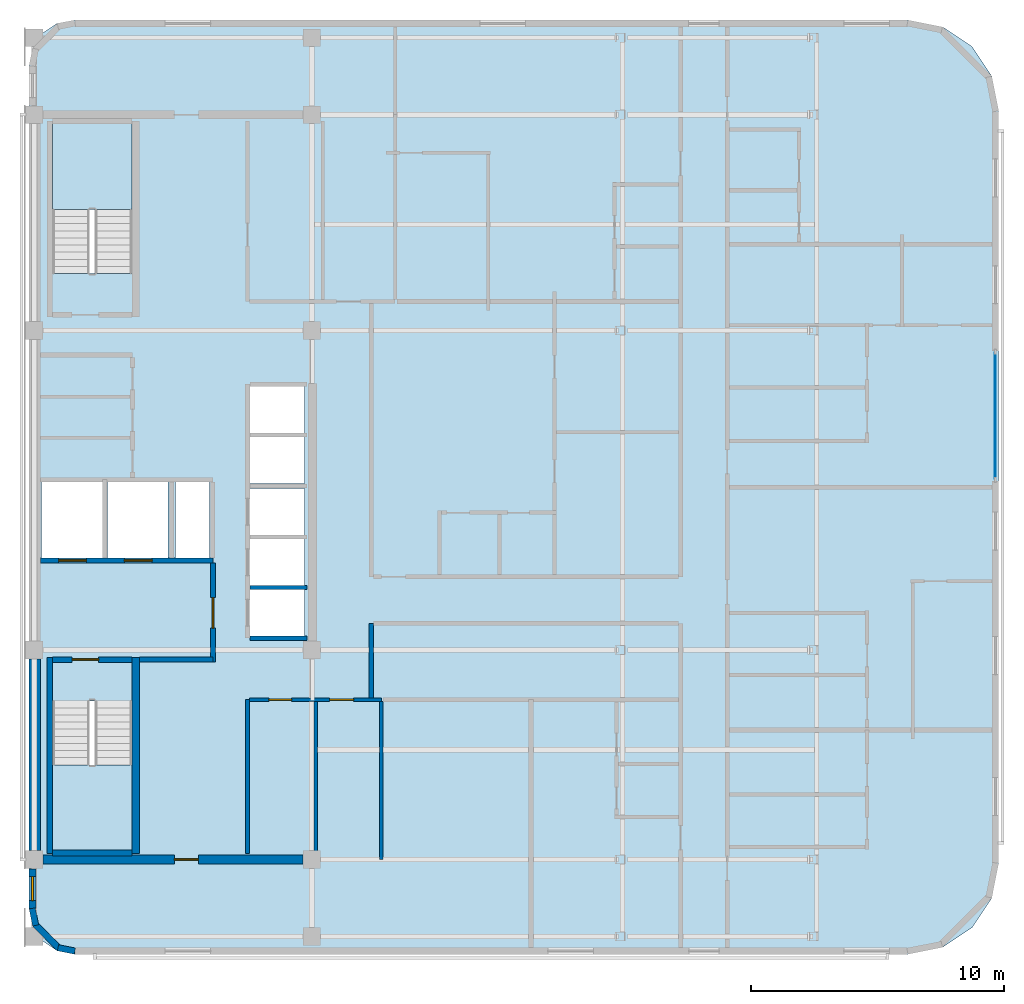
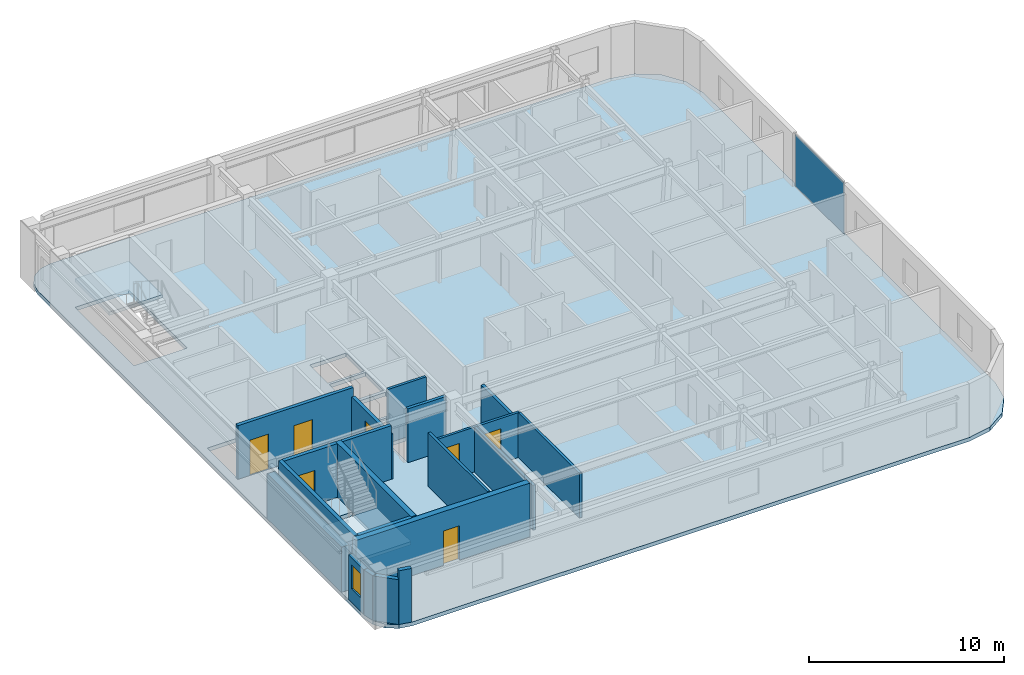
# One storey, part 3 of 10: 20 walls, 7 doors, 3 slabs, 1 plate, 1 window, 8 openings, 3 elements without a shape of their own.
"""IFC4 building model written with IfcOpenShell, lengths in metres."""

from ifc_helpers import new_model, si_unit, direction, frame, frame_2d, origin, origin_2d, place, context, subcontext, project, spatial, polyline, rectangle, outline, extrude, material, layer, layer_set, type_object, element, fill, aggregate, save


model = new_model("IFC4")

# Units and contexts
model_context = context("Model", 3, precision=1e-05, world=origin(), true_north=direction((0.0, 1.0)))
body_context = subcontext(model_context, "Body", "Model", "MODEL_VIEW")
ifc_project = project(units=[si_unit("LENGTHUNIT", "METRE"), si_unit("AREAUNIT", "SQUARE_METRE"), si_unit("VOLUMEUNIT", "CUBIC_METRE"), si_unit("PLANEANGLEUNIT", "RADIAN"), si_unit("MASSUNIT", "GRAM", prefix="KILO")], contexts=[model_context])

# Site, building, storey
site_placement = place(None, origin())
site = spatial("IfcSite", under=ifc_project, at=site_placement, CompositionType="ELEMENT")
building_placement = place(site_placement, origin())
building = spatial("IfcBuilding", under=site, at=building_placement, Name="Ochreholt Gables", CompositionType="ELEMENT")
storey_placement = place(building_placement, frame((0.0, 0.0, 213.0)))
storey = spatial("IfcBuildingStorey", under=building, at=storey_placement, Name="L55", CompositionType="ELEMENT", Elevation=213.0)

# Curtain wall, plate
ifc_material_1 = material(Name="Unitised Aluminium and Triple Glazing", Category="aluminium")
ifc_layer_1 = layer(ifc_material_1, 0.2099609375, Name="Unitised Aluminium and Triple Glazing")
ifc_layer_set_1 = layer_set([ifc_layer_1], Name="Unitised Aluminium and Triple Glazing")
curtain_wall_type = type_object("IfcCurtainWallType", Name="CW-SYS5", PredefinedType="NOTDEFINED", material=ifc_layer_set_1)
curtain_wall_placement = place(storey_placement, origin())
curtain_wall = element("IfcCurtainWall", 1, at=curtain_wall_placement, inside=storey, type_object=curtain_wall_type, Name="L55 East Unitised Curtain Wall", PredefinedType="NOTDEFINED")
ifc_material_2 = material(Name="Triple Low-E Insulating Glass", Category="glass")
ifc_layer_2 = layer(ifc_material_2, 0.0380859375, Name="Triple Low-E Insulating Glass")
ifc_layer_set_2 = layer_set([ifc_layer_2], Name="Triple Low-E Insulating Glass")
plate_type = type_object("IfcPlateType", Name="CW-PNL-38", PredefinedType="CURTAIN_PANEL", material=ifc_layer_set_2)
plate_placement = place(storey_placement, frame((62.264892578125, 26.824951171875, 0.074951171875), z_axis=(0.0, 0.0, 1.0), x_axis=(0.0, 1.0, 0.0)))
plate = element("IfcPlate", 2, at=plate_placement, type_object=plate_type, Name="CW-5 panel 1.1", PredefinedType="CURTAIN_PANEL", context=body_context, shape_type="SweptSolid", body=[
    extrude(rectangle(XDim=5.0, YDim=0.0380859375, at=origin_2d()), origin(), (0.0, 0.0, 1.0), 3.2099609375),
])
aggregate(curtain_wall, [plate])

# Stair, slab
ifc_material_3 = material(Name="Concrete 40 MPa", Category="concrete")
stair_type_1 = type_object("IfcStairType", Name="STAIR-CORE-ST-1", PredefinedType="HALF_TURN_STAIR", material=ifc_material_3)
stair_1_placement = place(storey_placement, origin())
stair_1 = element("IfcStair", 3, at=stair_1_placement, inside=storey, type_object=stair_type_1, Name="L55 Core Exit Stair 1", PredefinedType="HALF_TURN_STAIR")
ifc_layer_3 = layer(ifc_material_3, 0.199951171875, Name="Concrete 40 MPa")
ifc_layer_set_3 = layer_set([ifc_layer_3], Name="Concrete 40 MPa")
slab_type_1 = type_object("IfcSlabType", Name="LANDING-RC200", PredefinedType="LANDING", material=ifc_layer_set_3)
slab_1_placement = place(storey_placement, frame((0.0, 0.0, 1.60009765625)))
slab_1 = element("IfcSlab", 4, at=slab_1_placement, type_object=slab_type_1, Name="ST-1 landing 1", PredefinedType="LANDING", context=body_context, shape_type="SweptSolid", body=[
    extrude(outline(polyline([(24.919921875, 13.001953125), (24.919921875, 9.52001953125), (28.080078125, 9.52001953125), (28.080078125, 13.001953125), (24.919921875, 13.001953125)])), origin(), (0.0, 0.0, 1.0), 0.199951171875),
])
aggregate(stair_1, [slab_1])

stair_type_2 = type_object("IfcStairType", Name="STAIR-CORE-ST-2", PredefinedType="HALF_TURN_STAIR", material=ifc_material_3)
stair_2_placement = place(storey_placement, origin())
stair_2 = element("IfcStair", 5, at=stair_2_placement, inside=storey, type_object=stair_type_2, Name="L55 Core Exit Stair 2", PredefinedType="HALF_TURN_STAIR")
slab_2_placement = place(storey_placement, frame((0.0, 0.0, 1.60009765625)))
slab_2 = element("IfcSlab", 6, at=slab_2_placement, type_object=slab_type_1, Name="ST-2 landing 1", PredefinedType="LANDING", context=body_context, shape_type="SweptSolid", body=[
    extrude(outline(polyline([(28.080078125, 34.998046875), (28.080078125, 38.47998046875), (24.919921875, 38.47998046875), (24.919921875, 34.998046875), (28.080078125, 34.998046875)])), origin(), (0.0, 0.0, 1.0), 0.199951171875),
])
aggregate(stair_2, [slab_2])

# Slab
ifc_layer_4 = layer(ifc_material_3, 0.239990234375, Name="Concrete 40 MPa")
ifc_layer_set_4 = layer_set([ifc_layer_4], Name="Concrete 40 MPa")
slab_type_2 = type_object("IfcSlabType", Name="SLAB-TWR-240", PredefinedType="FLOOR", material=ifc_layer_set_4)
slab_3_placement = place(storey_placement, frame((0.0, 0.0, -0.239990234375)))
element("IfcSlab", 7, at=slab_3_placement, inside=storey, type_object=slab_type_2, Name="L55 Structural Floor Slab", PredefinedType="FLOOR", context=body_context, shape_type="SweptSolid", body=[
    extrude(outline(polyline([(24.0, 7.300048828125), (24.136962890625, 6.611083984375), (24.527099609375, 6.027099609375), (25.111083984375, 5.636962890625), (25.800048828125, 5.5), (58.800048828125, 5.5), (60.177734375, 5.77392578125), (61.345703125, 6.554443359375), (62.1259765625, 7.722412109375), (62.39990234375, 9.10009765625), (62.39990234375, 38.89990234375), (62.1259765625, 40.277587890625), (61.345703125, 41.445556640625), (60.177734375, 42.22607421875), (58.800048828125, 42.5), (25.800048828125, 42.5), (25.111083984375, 42.363037109375), (24.527099609375, 41.972900390625), (24.136962890625, 41.388916015625), (24.0, 40.699951171875), (24.0, 7.300048828125)]), holes=[polyline([(24.919921875, 15.539306640625), (24.919921875, 9.52001953125), (28.080078125, 9.52001953125), (28.080078125, 15.539306640625), (24.919921875, 15.539306640625)]), polyline([(28.080078125, 32.460693359375), (28.080078125, 38.47998046875), (24.919921875, 38.47998046875), (24.919921875, 32.460693359375), (28.080078125, 32.460693359375)]), polyline([(24.5, 21.199951171875), (26.89990234375, 21.199951171875), (26.89990234375, 24.199951171875), (24.5, 24.199951171875), (24.5, 21.199951171875)]), polyline([(27.10009765625, 21.199951171875), (29.5, 21.199951171875), (29.5, 24.199951171875), (27.10009765625, 24.199951171875), (27.10009765625, 21.199951171875)]), polyline([(32.75, 18.10009765625), (34.89990234375, 18.10009765625), (34.89990234375, 19.949951171875), (32.75, 19.949951171875), (32.75, 18.10009765625)]), polyline([(32.75, 20.10009765625), (34.89990234375, 20.10009765625), (34.89990234375, 21.949951171875), (32.75, 21.949951171875), (32.75, 20.10009765625)]), polyline([(32.75, 22.10009765625), (34.89990234375, 22.10009765625), (34.89990234375, 23.949951171875), (32.75, 23.949951171875), (32.75, 22.10009765625)]), polyline([(32.75, 24.14990234375), (34.89990234375, 24.14990234375), (34.89990234375, 26.0), (32.75, 26.0), (32.75, 24.14990234375)]), polyline([(32.75, 26.14990234375), (34.89990234375, 26.14990234375), (34.89990234375, 28.0), (32.75, 28.0), (32.75, 26.14990234375)]), polyline([(29.800048828125, 21.199951171875), (31.14990234375, 21.199951171875), (31.14990234375, 24.199951171875), (29.800048828125, 24.199951171875), (29.800048828125, 21.199951171875)])]), origin(), (0.0, 0.0, 1.0), 0.239990234375),
])

# Wall, opening, door
ifc_material_4 = material(Name="Concrete 50 MPa", Category="concrete")
ifc_layer_5 = layer(ifc_material_4, 0.35009765625, Name="Concrete 50 MPa")
ifc_layer_set_5 = layer_set([ifc_layer_5], Name="Concrete 50 MPa")
wall_type_1 = type_object("IfcWallType", Name="WALL-CSW-350", PredefinedType="SHEAR", material=ifc_layer_set_5)
wall_1_placement = place(storey_placement, frame((24.550048828125, 9.25, 0.0), z_axis=(0.0, 0.0, 1.0), x_axis=(1.0, 0.0, 0.0)))
wall_1 = element("IfcWall", 8, at=wall_1_placement, inside=storey, type_object=wall_type_1, Name="L55 Core South Shear Wall", PredefinedType="SHEAR", context=body_context, shape_type="SweptSolid", body=[
    extrude(rectangle(XDim=10.300048828125, YDim=0.35009765625, at=frame_2d((5.14990234375, 0.0))), origin(), (0.0, 0.0, 1.0), 3.360107421875),
])
opening_1_placement = place(wall_1_placement, frame((5.199951171875, 0.0, 0.0)))
opening_1 = element("IfcOpeningElement", 9, at=opening_1_placement, cuts=wall_1, Name="Opening D-FL2", PredefinedType="OPENING", context=body_context, shape_type="SweptSolid", body=[
    extrude(rectangle(XDim=0.949951171875, YDim=2.14990234375, at=frame_2d((0.47509765625, 1.074951171875))), frame((0.0, 0.18505859375, 0.0), z_axis=(0.0, -1.0, 0.0), x_axis=(1.0, 0.0, 0.0)), (0.0, 0.0, 1.0), 0.3701171875),
])
ifc_material_5 = material(Name="Hollow Metal Steel", Category="steel")
door_type_1 = type_object("IfcDoorType", Name="DR-INT-FLB950", OperationType="NOTDEFINED", PredefinedType="DOOR", material=ifc_material_5)
door_1_placement = place(opening_1_placement, frame((0.949951171875, 0.0, 0.0), z_axis=(0.0, 0.0, 1.0), x_axis=(-1.0, 0.0, 0.0)))
door_1 = element("IfcDoor", 10, at=door_1_placement, inside=storey, type_object=door_type_1, Name="L55 Door D-C3SSL-L55", OperationType="SINGLE_SWING_LEFT", OverallHeight=2.14990234375, OverallWidth=0.949951171875, PredefinedType="DOOR", context=body_context, shape_type="SweptSolid", body=[
    extrude(rectangle(XDim=0.949951171875, YDim=2.14990234375, at=frame_2d((0.47509765625, 1.074951171875))), frame((0.0, 0.02490234375, 0.0), z_axis=(0.0, -1.0, 0.0), x_axis=(1.0, 0.0, 0.0)), (0.0, 0.0, 1.0), 0.050048828125),
])
fill(opening_1, door_1)

# Wall
ifc_layer_6 = layer(ifc_material_4, 0.449951171875, Name="Concrete 50 MPa")
ifc_layer_set_6 = layer_set([ifc_layer_6], Name="Concrete 50 MPa")
wall_type_2 = type_object("IfcWallType", Name="WALL-CSW-EXT", PredefinedType="SHEAR", material=ifc_layer_set_6)
wall_2_placement = place(storey_placement, frame((24.22509765625, 9.60009765625, 0.0), z_axis=(0.0, 0.0, 1.0), x_axis=(0.0, 1.0, 0.0)))
element("IfcWall", 11, at=wall_2_placement, inside=storey, type_object=wall_type_2, Name="L55 Core West Shear Wall WS", PredefinedType="SHEAR", context=body_context, shape_type="SweptSolid", body=[
    extrude(rectangle(XDim=7.599853515625, YDim=0.449951171875, at=frame_2d((3.7998046875, 0.0))), origin(), (0.0, 0.0, 1.0), 2.821044921875),
])

# Wall, opening, window
ifc_material_6 = material(Name="Precast concrete 40 MPa", Category="concrete")
ifc_layer_7 = layer(ifc_material_6, 0.27001953125, Name="Precast concrete 40 MPa")
ifc_layer_set_7 = layer_set([ifc_layer_7], Name="Precast concrete 40 MPa")
wall_type_3 = type_object("IfcWallType", Name="WALL-EXT-270", PredefinedType="SOLIDWALL", material=ifc_layer_set_7)
wall_3_placement = place(storey_placement, frame((24.135009765625, 7.320068359375, 0.0), z_axis=(0.0, 0.0, 1.0), x_axis=(0.0, 1.0, 0.0)))
wall_3 = element("IfcWall", 12, at=wall_3_placement, inside=storey, type_object=wall_type_3, Name="L55 West Facade South Bay Wall", PredefinedType="SOLIDWALL", context=body_context, shape_type="SweptSolid", body=[
    extrude(rectangle(XDim=1.559814453125, YDim=0.27001953125, at=frame_2d((0.77978515625, 0.0))), origin(), (0.0, 0.0, 1.0), 2.802978515625),
])
opening_2_placement = place(wall_3_placement, frame((0.304931640625, 0.0, 0.85009765625)))
opening_2 = element("IfcOpeningElement", 13, at=opening_2_placement, cuts=wall_3, Name="Opening WN-10", PredefinedType="OPENING", context=body_context, shape_type="SweptSolid", body=[
    extrude(rectangle(XDim=0.949951171875, YDim=1.5, at=frame_2d((0.47509765625, 0.75))), frame((0.0, 0.14501953125, 0.0), z_axis=(0.0, -1.0, 0.0), x_axis=(1.0, 0.0, 0.0)), (0.0, 0.0, 1.0), 0.2900390625),
])
ifc_material_7 = material(Name="Triple-Glazed Thermally Broken Aluminium Window", Category="aluminium")
window_type = type_object("IfcWindowType", Name="WIN-RES-950", PartitioningType="SINGLE_PANEL", PredefinedType="WINDOW", material=ifc_material_7)
window_placement = place(opening_2_placement, origin())
window = element("IfcWindow", 14, at=window_placement, inside=storey, type_object=window_type, Name="L55 South Sky Lounge West Window", OverallHeight=1.5, OverallWidth=0.949951171875, PartitioningType="SINGLE_PANEL", PredefinedType="WINDOW", context=body_context, shape_type="SweptSolid", body=[
    extrude(rectangle(XDim=0.949951171875, YDim=1.5, at=frame_2d((0.47509765625, 0.75))), frame((0.0, 0.030029296875, 0.0), z_axis=(0.0, -1.0, 0.0), x_axis=(1.0, 0.0, 0.0)), (0.0, 0.0, 1.0), 0.06005859375),
])
fill(opening_2, window)

# Walls
ifc_layer_8 = layer(ifc_material_6, 0.25, Name="Precast concrete 40 MPa")
ifc_layer_set_8 = layer_set([ifc_layer_8], Name="Precast concrete 40 MPa")
wall_type_4 = type_object("IfcWallType", Name="WALL-EXT-CNR", PredefinedType="SOLIDWALL", material=ifc_layer_set_8)
wall_4_placement = place(storey_placement, frame((24.124267578125, 7.31640625, 0.0), z_axis=(0.0, 0.0, 1.0), x_axis=(0.194952956674, -0.980812594069, 0.0)))
element("IfcWall", 15, at=wall_4_placement, inside=storey, type_object=wall_type_4, Name="L55 Rounded Corner Wall SW-1", PredefinedType="SOLIDWALL", context=body_context, shape_type="SweptSolid", body=[
    extrude(rectangle(XDim=0.686279296875, YDim=0.25, at=frame_2d((0.34326171875, 0.0))), origin(), (0.0, 0.0, 1.0), 2.802978515625),
])
wall_5_placement = place(storey_placement, frame((24.23095703125, 6.69384765625, 0.0), z_axis=(0.0, 0.0, 1.0), x_axis=(0.707106781187, -0.707106781187, 0.0)))
element("IfcWall", 16, at=wall_5_placement, inside=storey, type_object=wall_type_4, Name="L55 Rounded Corner Wall SW-2", PredefinedType="SOLIDWALL", context=body_context, shape_type="SweptSolid", body=[
    extrude(rectangle(XDim=1.36181640625, YDim=0.25, at=frame_2d((0.680908203125, 0.0))), origin(), (0.0, 0.0, 1.0), 2.802978515625),
])
wall_6_placement = place(storey_placement, frame((25.143310546875, 5.758056640625, 0.0), z_axis=(0.0, 0.0, 1.0), x_axis=(0.980812594069, -0.194952956674, 0.0)))
element("IfcWall", 17, at=wall_6_placement, inside=storey, type_object=wall_type_4, Name="L55 Rounded Corner Wall SW-3", PredefinedType="SOLIDWALL", context=body_context, shape_type="SweptSolid", body=[
    extrude(rectangle(XDim=0.686279296875, YDim=0.25, at=frame_2d((0.34326171875, 0.0))), origin(), (0.0, 0.0, 1.0), 3.360107421875),
])

# Wall, openings, doors
ifc_layer_9 = layer(ifc_material_3, 0.199951171875, Name="Concrete 40 MPa")
ifc_layer_set_9 = layer_set([ifc_layer_9], Name="Concrete 40 MPa")
wall_type_5 = type_object("IfcWallType", Name="WALL-INT-CF200", PredefinedType="STANDARD", material=ifc_layer_set_9)
wall_7_placement = place(storey_placement, frame((24.449951171875, 21.090087890625, 0.0), z_axis=(0.0, 0.0, 1.0), x_axis=(1.0, 0.0, 0.0)))
wall_7 = element("IfcWall", 18, at=wall_7_placement, inside=storey, type_object=wall_type_5, Name="L55 Interior Wall WI-FFN-L55", PredefinedType="STANDARD", context=body_context, shape_type="SweptSolid", body=[
    extrude(rectangle(XDim=6.830078125, YDim=0.199951171875, at=frame_2d((3.4150390625, 0.0))), origin(), (0.0, 0.0, 1.0), 3.360107421875),
])
opening_3_placement = place(wall_7_placement, frame((0.719970703125, 0.0, 0.0)))
opening_3 = element("IfcOpeningElement", 19, at=opening_3_placement, cuts=wall_7, Name="Opening LD-FF", PredefinedType="OPENING", context=body_context, shape_type="SweptSolid", body=[
    extrude(rectangle(XDim=1.10009765625, YDim=2.199951171875, at=frame_2d((0.550048828125, 1.10009765625))), frame((0.0, 0.10986328125, 0.0), z_axis=(0.0, -1.0, 0.0), x_axis=(1.0, 0.0, 0.0)), (0.0, 0.0, 1.0), 0.219970703125),
])
opening_4_placement = place(wall_7_placement, frame((3.320068359375, 0.0, 0.0)))
opening_4 = element("IfcOpeningElement", 20, at=opening_4_placement, cuts=wall_7, Name="Opening LD-FF", PredefinedType="OPENING", context=body_context, shape_type="SweptSolid", body=[
    extrude(rectangle(XDim=1.10009765625, YDim=2.199951171875, at=frame_2d((0.550048828125, 1.10009765625))), frame((0.0, 0.10986328125, 0.0), z_axis=(0.0, -1.0, 0.0), x_axis=(1.0, 0.0, 0.0)), (0.0, 0.0, 1.0), 0.219970703125),
])
ifc_material_8 = material(Name="Stainless Steel", Category="steel")
door_type_2 = type_object("IfcDoorType", Name="DR-LFT-FF1100", OperationType="NOTDEFINED", PredefinedType="DOOR", material=ifc_material_8)
door_2_placement = place(opening_3_placement, origin())
door_2 = element("IfcDoor", 21, at=door_2_placement, inside=storey, type_object=door_type_2, Name="L55 Door LD-FF1-L55", OperationType="SLIDING_TO_LEFT", OverallHeight=2.199951171875, OverallWidth=1.10009765625, PredefinedType="DOOR", context=body_context, shape_type="SweptSolid", body=[
    extrude(rectangle(XDim=1.10009765625, YDim=2.199951171875, at=frame_2d((0.550048828125, 1.10009765625))), frame((0.0, 0.02490234375, 0.0), z_axis=(0.0, -1.0, 0.0), x_axis=(1.0, 0.0, 0.0)), (0.0, 0.0, 1.0), 0.050048828125),
])
fill(opening_3, door_2)
door_3_placement = place(opening_4_placement, origin())
door_3 = element("IfcDoor", 22, at=door_3_placement, inside=storey, type_object=door_type_2, Name="L55 Door LD-FF2-L55", OperationType="SLIDING_TO_LEFT", OverallHeight=2.199951171875, OverallWidth=1.10009765625, PredefinedType="DOOR", context=body_context, shape_type="SweptSolid", body=[
    extrude(rectangle(XDim=1.10009765625, YDim=2.199951171875, at=frame_2d((0.550048828125, 1.10009765625))), frame((0.0, 0.02490234375, 0.0), z_axis=(0.0, -1.0, 0.0), x_axis=(1.0, 0.0, 0.0)), (0.0, 0.0, 1.0), 0.050048828125),
])
fill(opening_4, door_3)

# Wall
wall_8_placement = place(storey_placement, frame((28.3798828125, 17.169921875, 0.0), z_axis=(0.0, 0.0, 1.0), x_axis=(1.0, 0.0, 0.0)))
element("IfcWall", 23, at=wall_8_placement, inside=storey, type_object=wall_type_5, Name="L55 Interior Wall WI-FFS-L55", PredefinedType="STANDARD", context=body_context, shape_type="SweptSolid", body=[
    extrude(rectangle(XDim=2.900146484375, YDim=0.199951171875, at=frame_2d((1.4501953125, 0.0))), origin(), (0.0, 0.0, 1.0), 3.360107421875),
])

# Wall, opening, door
wall_9_placement = place(storey_placement, frame((31.280029296875, 17.070068359375, 0.0), z_axis=(0.0, 0.0, 1.0), x_axis=(0.0, 1.0, 0.0)))
wall_9 = element("IfcWall", 24, at=wall_9_placement, inside=storey, type_object=wall_type_5, Name="L55 Interior Wall WI-FFE-L55", PredefinedType="STANDARD", context=body_context, shape_type="SweptSolid", body=[
    extrude(rectangle(XDim=3.919921875, YDim=0.199951171875, at=frame_2d((1.9599609375, 0.0))), origin(), (0.0, 0.0, 1.0), 2.802978515625),
])
opening_5_placement = place(wall_9_placement, frame((1.35009765625, 0.0, 0.0)))
opening_5 = element("IfcOpeningElement", 25, at=opening_5_placement, cuts=wall_9, Name="Opening D-FFL", PredefinedType="OPENING", context=body_context, shape_type="SweptSolid", body=[
    extrude(rectangle(XDim=1.199951171875, YDim=2.14990234375, at=frame_2d((0.60009765625, 1.074951171875))), frame((0.0, 0.10986328125, 0.0), z_axis=(0.0, -1.0, 0.0), x_axis=(1.0, 0.0, 0.0)), (0.0, 0.0, 1.0), 0.219970703125),
])
door_type_3 = type_object("IfcDoorType", Name="DR-INT-FFL1200", OperationType="NOTDEFINED", PredefinedType="DOOR", material=ifc_material_5)
door_4_placement = place(opening_5_placement, origin())
door_4 = element("IfcDoor", 26, at=door_4_placement, inside=storey, type_object=door_type_3, Name="L55 Door D-FFL-L55", OperationType="SINGLE_SWING_LEFT", OverallHeight=2.14990234375, OverallWidth=1.199951171875, PredefinedType="DOOR", context=body_context, shape_type="SweptSolid", body=[
    extrude(rectangle(XDim=1.199951171875, YDim=2.14990234375, at=frame_2d((0.60009765625, 1.074951171875))), frame((0.0, 0.02490234375, 0.0), z_axis=(0.0, -1.0, 0.0), x_axis=(1.0, 0.0, 0.0)), (0.0, 0.0, 1.0), 0.050048828125),
])
fill(opening_5, door_4)

# Walls
ifc_material_9 = material(Name="Fire-Rated Gypsum Acoustic Partition", Category="gypsum")
ifc_layer_10 = layer(ifc_material_9, 0.179931640625, Name="Fire-Rated Gypsum Acoustic Partition")
ifc_layer_set_10 = layer_set([ifc_layer_10], Name="Fire-Rated Gypsum Acoustic Partition")
wall_type_6 = type_object("IfcWallType", Name="WALL-INT-CR180", PredefinedType="STANDARD", material=ifc_layer_set_10)
wall_10_placement = place(storey_placement, frame((37.550048828125, 15.652587890625, 0.0), z_axis=(0.0, 0.0, 1.0), x_axis=(0.0, 1.0, 0.0)))
element("IfcWall", 27, at=wall_10_placement, inside=storey, type_object=wall_type_6, Name="L55 Interior Wall WI-C3CE0-L55", PredefinedType="STANDARD", context=body_context, shape_type="SweptSolid", body=[
    extrude(rectangle(XDim=2.947509765625, YDim=0.179931640625, at=frame_2d((1.4736328125, 0.0))), origin(), (0.0, 0.0, 1.0), 2.802978515625),
])
ifc_material_10 = material(Name="Lightweight Stud Partition", Category="gypsum")
ifc_layer_11 = layer(ifc_material_10, 0.14501953125, Name="Lightweight Stud Partition")
ifc_layer_set_11 = layer_set([ifc_layer_11], Name="Lightweight Stud Partition")
wall_type_7 = type_object("IfcWallType", Name="WALL-INT-PT145", PredefinedType="PARTITIONING", material=ifc_layer_set_11)
wall_11_placement = place(storey_placement, frame((32.64990234375, 9.5, 0.0), z_axis=(0.0, 0.0, 1.0), x_axis=(0.0, 1.0, 0.0)))
element("IfcWall", 28, at=wall_11_placement, inside=storey, type_object=wall_type_7, Name="L55 Interior Wall WI-RCL-W-L55", PredefinedType="PARTITIONING", context=body_context, shape_type="SweptSolid", body=[
    extrude(rectangle(XDim=6.080078125, YDim=0.14501953125, at=frame_2d((3.0400390625, 0.0))), origin(), (0.0, 0.0, 1.0), 3.360107421875),
])

# Wall, openings, doors
wall_12_placement = place(storey_placement, frame((32.722412109375, 15.580078125, 0.0), z_axis=(0.0, 0.0, 1.0), x_axis=(1.0, 0.0, 0.0)))
wall_12 = element("IfcWall", 29, at=wall_12_placement, inside=storey, type_object=wall_type_7, Name="L55 Interior Wall WI-RCL-N-L55", PredefinedType="PARTITIONING", context=body_context, shape_type="SweptSolid", body=[
    extrude(rectangle(XDim=5.2275390625, YDim=0.14501953125, at=frame_2d((2.61376953125, 0.0))), origin(), (0.0, 0.0, 1.0), 2.802978515625),
])
opening_6_placement = place(wall_12_placement, frame((0.777587890625, 0.0, 0.0)))
opening_6 = element("IfcOpeningElement", 30, at=opening_6_placement, cuts=wall_12, Name="Opening D-SV1", PredefinedType="OPENING", context=body_context, shape_type="SweptSolid", body=[
    extrude(rectangle(XDim=0.89990234375, YDim=2.10009765625, at=frame_2d((0.449951171875, 1.050048828125))), frame((0.0, 0.08251953125, 0.0), z_axis=(0.0, -1.0, 0.0), x_axis=(1.0, 0.0, 0.0)), (0.0, 0.0, 1.0), 0.1650390625),
])
opening_7_placement = place(wall_12_placement, frame((3.177490234375, 0.0, 0.0)))
opening_7 = element("IfcOpeningElement", 31, at=opening_7_placement, cuts=wall_12, Name="Opening D-GN1", PredefinedType="OPENING", context=body_context, shape_type="SweptSolid", body=[
    extrude(rectangle(XDim=0.949951171875, YDim=2.14990234375, at=frame_2d((0.47509765625, 1.074951171875))), frame((0.0, 0.08251953125, 0.0), z_axis=(0.0, -1.0, 0.0), x_axis=(1.0, 0.0, 0.0)), (0.0, 0.0, 1.0), 0.1650390625),
])
ifc_material_11 = material(Name="Engineered Oak Timber", Category="wood")
door_type_4 = type_object("IfcDoorType", Name="DR-INT-GEN950", OperationType="NOTDEFINED", PredefinedType="DOOR", material=ifc_material_11)
door_5_placement = place(opening_7_placement, origin())
door_5 = element("IfcDoor", 32, at=door_5_placement, inside=storey, type_object=door_type_4, Name="L55 Door D-RCL2-L55", OperationType="SINGLE_SWING_RIGHT", OverallHeight=2.14990234375, OverallWidth=0.949951171875, PredefinedType="DOOR", context=body_context, shape_type="SweptSolid", body=[
    extrude(rectangle(XDim=0.949951171875, YDim=2.14990234375, at=frame_2d((0.47509765625, 1.074951171875))), frame((0.0, 0.02490234375, 0.0), z_axis=(0.0, -1.0, 0.0), x_axis=(1.0, 0.0, 0.0)), (0.0, 0.0, 1.0), 0.050048828125),
])
fill(opening_7, door_5)
door_type_5 = type_object("IfcDoorType", Name="DR-INT-SRV900", OperationType="NOTDEFINED", PredefinedType="DOOR", material=ifc_material_5)
door_6_placement = place(opening_6_placement, origin())
door_6 = element("IfcDoor", 33, at=door_6_placement, inside=storey, type_object=door_type_5, Name="L55 Door D-RCL1-L55", OperationType="SINGLE_SWING_LEFT", OverallHeight=2.10009765625, OverallWidth=0.89990234375, PredefinedType="DOOR", context=body_context, shape_type="SweptSolid", body=[
    extrude(rectangle(XDim=0.89990234375, YDim=2.10009765625, at=frame_2d((0.449951171875, 1.050048828125))), frame((0.0, 0.02490234375, 0.0), z_axis=(0.0, -1.0, 0.0), x_axis=(1.0, 0.0, 0.0)), (0.0, 0.0, 1.0), 0.050048828125),
])
fill(opening_6, door_6)

# Walls
wall_13_placement = place(storey_placement, frame((37.949951171875, 9.25, 0.0), z_axis=(0.0, 0.0, 1.0), x_axis=(0.0, 1.0, 0.0)))
element("IfcWall", 34, at=wall_13_placement, inside=storey, type_object=wall_type_7, Name="L55 Interior Wall WI-RCL-E-L55", PredefinedType="PARTITIONING", context=body_context, shape_type="SweptSolid", body=[
    extrude(rectangle(XDim=6.257568359375, YDim=0.14501953125, at=frame_2d((3.12890625, 0.0))), origin(), (0.0, 0.0, 1.0), 2.802978515625),
])
wall_14_placement = place(storey_placement, frame((35.35009765625, 9.5, 0.0), z_axis=(0.0, 0.0, 1.0), x_axis=(0.0, 1.0, 0.0)))
element("IfcWall", 35, at=wall_14_placement, inside=storey, type_object=wall_type_7, Name="L55 Interior Wall WI-RCL-DV-L55", PredefinedType="PARTITIONING", context=body_context, shape_type="SweptSolid", body=[
    extrude(rectangle(XDim=6.007568359375, YDim=0.14501953125, at=frame_2d((3.00390625, 0.0))), origin(), (0.0, 0.0, 1.0), 2.802978515625),
])
ifc_material_12 = material(Name="Gypsum Shaftliner and Steel Stud", Category="steel")
ifc_layer_12 = layer(ifc_material_12, 0.14990234375, Name="Gypsum Shaftliner and Steel Stud")
ifc_layer_set_12 = layer_set([ifc_layer_12], Name="Gypsum Shaftliner and Steel Stud")
wall_type_8 = type_object("IfcWallType", Name="WALL-INT-SH150", PredefinedType="STANDARD", material=ifc_layer_set_12)
wall_15_placement = place(storey_placement, frame((32.739990234375, 20.02001953125, 0.0), z_axis=(0.0, 0.0, 1.0), x_axis=(1.0, 0.0, 0.0)))
element("IfcWall", 36, at=wall_15_placement, inside=storey, type_object=wall_type_8, Name="L55 Interior Wall WI-LFHE-DH1-L55", PredefinedType="STANDARD", context=body_context, shape_type="SweptSolid", body=[
    extrude(rectangle(XDim=2.260009765625, YDim=0.14990234375, at=frame_2d((1.1298828125, 0.0))), origin(), (0.0, 0.0, 1.0), 3.360107421875),
])
ifc_layer_13 = layer(ifc_material_12, 0.179931640625, Name="Gypsum Shaftliner and Steel Stud")
ifc_layer_set_13 = layer_set([ifc_layer_13], Name="Gypsum Shaftliner and Steel Stud")
wall_type_9 = type_object("IfcWallType", Name="WALL-INT-SH180", PredefinedType="STANDARD", material=ifc_layer_set_13)
wall_16_placement = place(storey_placement, frame((32.739990234375, 18.02001953125, 0.0), z_axis=(0.0, 0.0, 1.0), x_axis=(1.0, 0.0, 0.0)))
element("IfcWall", 37, at=wall_16_placement, inside=storey, type_object=wall_type_9, Name="L55 Interior Wall WI-LFHE-S-L55", PredefinedType="STANDARD", context=body_context, shape_type="SweptSolid", body=[
    extrude(rectangle(XDim=2.260009765625, YDim=0.179931640625, at=frame_2d((1.1298828125, 0.0))), origin(), (0.0, 0.0, 1.0), 3.360107421875),
])
ifc_material_13 = material(Name="Concrete 60 MPa", Category="concrete")
ifc_layer_14 = layer(ifc_material_13, 0.300048828125, Name="Concrete 60 MPa")
ifc_layer_set_14 = layer_set([ifc_layer_14], Name="Concrete 60 MPa")
wall_type_10 = type_object("IfcWallType", Name="WALL-SPN-300", PredefinedType="SHEAR", material=ifc_layer_set_14)
wall_17_placement = place(storey_placement, frame((28.22998046875, 9.5, 0.0), z_axis=(0.0, 0.0, 1.0), x_axis=(0.0, 1.0, 0.0)))
element("IfcWall", 38, at=wall_17_placement, inside=storey, type_object=wall_type_10, Name="L55 Core South Spine Shear Wall", PredefinedType="SHEAR", context=body_context, shape_type="SweptSolid", body=[
    extrude(rectangle(XDim=7.760009765625, YDim=0.300048828125, at=frame_2d((3.8798828125, 0.0))), origin(), (0.0, 0.0, 1.0), 3.360107421875),
])
ifc_layer_15 = layer(ifc_material_4, 0.219970703125, Name="Concrete 50 MPa")
ifc_layer_set_15 = layer_set([ifc_layer_15], Name="Concrete 50 MPa")
wall_type_11 = type_object("IfcWallType", Name="WALL-STW-220", PredefinedType="SHEAR", material=ifc_layer_set_15)
wall_18_placement = place(storey_placement, frame((24.81005859375, 9.5, 0.0), z_axis=(0.0, 0.0, 1.0), x_axis=(0.0, 1.0, 0.0)))
element("IfcWall", 39, at=wall_18_placement, inside=storey, type_object=wall_type_11, Name="L55 Exit Stair 1 West Wall", PredefinedType="SHEAR", context=body_context, shape_type="SweptSolid", body=[
    extrude(rectangle(XDim=7.760009765625, YDim=0.219970703125, at=frame_2d((3.8798828125, 0.0))), origin(), (0.0, 0.0, 1.0), 3.360107421875),
])
wall_19_placement = place(storey_placement, frame((24.919921875, 9.510009765625, 0.0), z_axis=(0.0, 0.0, 1.0), x_axis=(1.0, 0.0, 0.0)))
element("IfcWall", 40, at=wall_19_placement, inside=storey, type_object=wall_type_11, Name="L55 Exit Stair 1 South Wall", PredefinedType="SHEAR", context=body_context, shape_type="SweptSolid", body=[
    extrude(rectangle(XDim=3.16015625, YDim=0.219970703125, at=frame_2d((1.580078125, 0.0))), origin(), (0.0, 0.0, 1.0), 3.360107421875),
])

# Wall, opening, door
wall_20_placement = place(storey_placement, frame((24.919921875, 17.169921875, 0.0), z_axis=(0.0, 0.0, 1.0), x_axis=(1.0, 0.0, 0.0)))
wall_20 = element("IfcWall", 41, at=wall_20_placement, inside=storey, type_object=wall_type_11, Name="L55 Exit Stair 1 North Wall", PredefinedType="SHEAR", context=body_context, shape_type="SweptSolid", body=[
    extrude(rectangle(XDim=3.16015625, YDim=0.219970703125, at=frame_2d((1.580078125, 0.0))), origin(), (0.0, 0.0, 1.0), 3.360107421875),
])
opening_8_placement = place(wall_20_placement, frame((0.780029296875, 0.0, 0.0)))
opening_8 = element("IfcOpeningElement", 42, at=opening_8_placement, cuts=wall_20, Name="Opening D-STC", PredefinedType="OPENING", context=body_context, shape_type="SweptSolid", body=[
    extrude(rectangle(XDim=1.050048828125, YDim=2.14990234375, at=frame_2d((0.52490234375, 1.074951171875))), frame((0.0, 0.119873046875, 0.0), z_axis=(0.0, -1.0, 0.0), x_axis=(1.0, 0.0, 0.0)), (0.0, 0.0, 1.0), 0.239990234375),
])
door_type_6 = type_object("IfcDoorType", Name="DR-INT-ST1050", OperationType="NOTDEFINED", PredefinedType="DOOR", material=ifc_material_5)
door_7_placement = place(opening_8_placement, frame((1.050048828125, 0.0, 0.0), z_axis=(0.0, 0.0, 1.0), x_axis=(-1.0, 0.0, 0.0)))
door_7 = element("IfcDoor", 43, at=door_7_placement, inside=storey, type_object=door_type_6, Name="L55 Door D-ST1-L55", OperationType="SINGLE_SWING_LEFT", OverallHeight=2.14990234375, OverallWidth=1.050048828125, PredefinedType="DOOR", context=body_context, shape_type="SweptSolid", body=[
    extrude(rectangle(XDim=1.050048828125, YDim=2.14990234375, at=frame_2d((0.52490234375, 1.074951171875))), frame((0.0, 0.02490234375, 0.0), z_axis=(0.0, -1.0, 0.0), x_axis=(1.0, 0.0, 0.0)), (0.0, 0.0, 1.0), 0.050048828125),
])
fill(opening_8, door_7)

save(model, "model.ifc")
